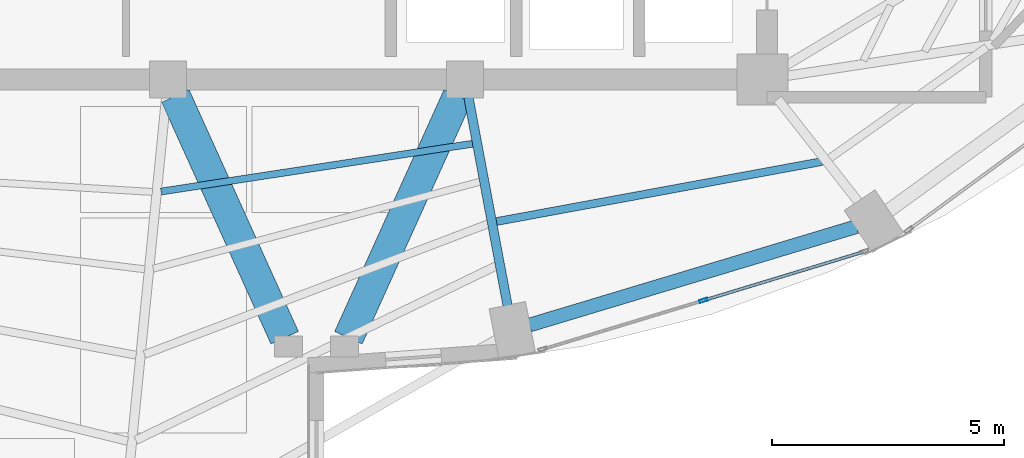
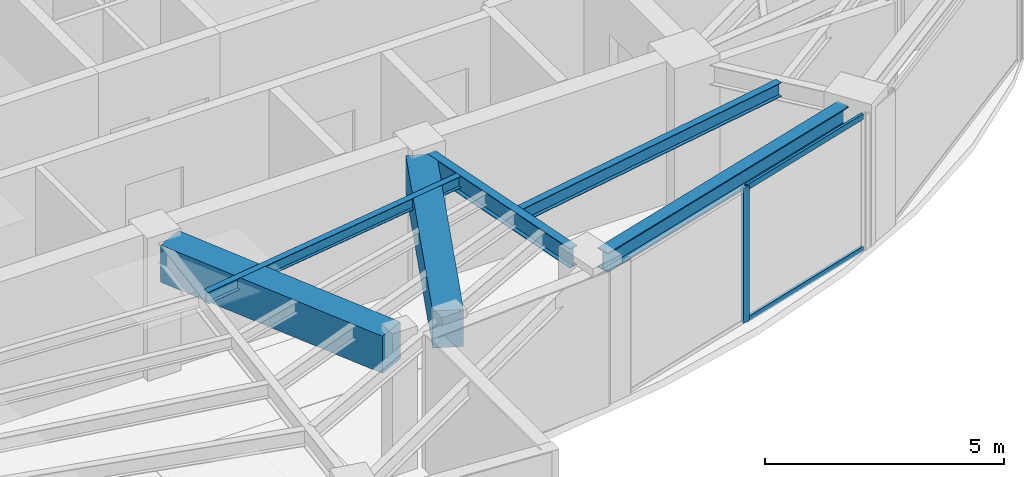
# One storey, part 7 of 23: 6 beams, 3 members, 1 element without a shape of its own.
"""IFC4 building model written with IfcOpenShell, lengths in metres."""

from ifc_helpers import new_model, si_unit, direction, frame, origin, origin_2d, place, context, subcontext, project, spatial, rectangle, hollow_rectangle, i_section, extrude, material, layer, layer_set, material_profile, profile_set, type_object, element, aggregate, save


model = new_model("IFC4")

# Units and contexts
model_context = context("Model", 3, precision=1e-05, world=origin(), true_north=direction((0.0, 1.0)))
body_context = subcontext(model_context, "Body", "Model", "MODEL_VIEW")
ifc_project = project(units=[si_unit("LENGTHUNIT", "METRE"), si_unit("AREAUNIT", "SQUARE_METRE"), si_unit("VOLUMEUNIT", "CUBIC_METRE"), si_unit("PLANEANGLEUNIT", "RADIAN"), si_unit("MASSUNIT", "GRAM", prefix="KILO")], contexts=[model_context])

# Site, building, storey
site_placement = place(None, origin())
site = spatial("IfcSite", under=ifc_project, at=site_placement, CompositionType="ELEMENT")
building_placement = place(site_placement, origin())
building = spatial("IfcBuilding", under=site, at=building_placement, Name="Lazwardi Medical Tower", CompositionType="ELEMENT")
storey_placement = place(building_placement, frame((0.0, 0.0, 262.320068359375)))
storey = spatial("IfcBuildingStorey", under=building, at=storey_placement, Name="L68", CompositionType="ELEMENT", Elevation=262.320068359375)

# Beams
ifc_material_1 = material(Name="Concrete C60/75", Category="concrete")
ifc_material_profile_1 = material_profile(ifc_material_1, rectangle(XDim=0.64990234375, YDim=0.949951171875, at=origin_2d()), Name="RC 650x950")
ifc_profile_set_1 = profile_set([ifc_material_profile_1], Name="Concrete C60/75")
beam_type_1 = type_object("IfcBeamType", Name="BM-CB-RC2", PredefinedType="LINTEL", material=ifc_profile_set_1)
for number, where, z_axis, x_axis, name in (
    (1, (32.95849609375, 20.04931640625, 2.972900390625), (0.412019279944, -0.911175127489, 0.0), (0.911175127489, 0.412019279944, 0.0), "Core coupling lintel CB-02 PL3 L68"),
    (2, (39.04150390625, 20.04931640625, 2.972900390625), (-0.412019279944, -0.911175127489, 0.0), (0.911175127489, -0.412019279944, 0.0), "Core coupling lintel CB-02 PL4 L68"),
):
    element("IfcBeam", number, at=place(storey_placement, frame(where, z_axis=z_axis, x_axis=x_axis)), inside=storey, type_object=beam_type_1, Name=name, PredefinedType="LINTEL", context=body_context, shape_type="SweptSolid", body=[
        extrude(rectangle(XDim=0.64990234375, YDim=0.949951171875, at=origin_2d()), origin(), (0.0, 0.0, 1.0), 5.7158203125),
    ])
ifc_material_2 = material(Name="Steel S355", Category="steel")
ifc_material_profile_2 = material_profile(ifc_material_2, i_section(OverallWidth=0.300048828125, OverallDepth=0.5, WebThickness=0.014404296875, FlangeThickness=0.028076171875, at=origin_2d()), Name="HEB 500")
ifc_profile_set_2 = profile_set([ifc_material_profile_2], Name="Steel S355")
beam_type_2 = type_object("IfcBeamType", Name="BM-RB-Z4", PredefinedType="BEAM", material=ifc_profile_set_2)
beam_1_placement = place(storey_placement, frame((40.58740234375, 15.114013671875, 3.197998046875), z_axis=(0.957544311906, 0.288286126506, 0.0), x_axis=(-0.288286126506, 0.957544311906, 0.0)))
element("IfcBeam", 3, at=beam_1_placement, inside=storey, type_object=beam_type_2, Name="Ring beam RB-05 B01 L68", PredefinedType="BEAM", context=body_context, shape_type="SweptSolid", body=[
    extrude(i_section(OverallWidth=0.300048828125, OverallDepth=0.5, WebThickness=0.014404296875, FlangeThickness=0.028076171875, at=origin_2d()), origin(), (0.0, 0.0, 1.0), 7.3515625),
])
ifc_material_profile_3 = material_profile(ifc_material_2, i_section(OverallWidth=0.199951171875, OverallDepth=0.5, WebThickness=0.01025390625, FlangeThickness=0.01611328125, at=origin_2d()), Name="IPE 500")
ifc_profile_set_3 = profile_set([ifc_material_profile_3], Name="Steel S355")
beam_type_3 = type_object("IfcBeamType", Name="BM-RG-W3", PredefinedType="BEAM", material=ifc_profile_set_3)
beam_2_placement = place(storey_placement, frame((40.115234375, 15.527587890625, 3.197998046875), z_axis=(-0.184633463507, 0.982807450192, 0.0), x_axis=(-0.982807450192, -0.184633463507, 0.0)))
element("IfcBeam", 4, at=beam_2_placement, inside=storey, type_object=beam_type_3, Name="Radial girder RG-04 R01 L68", PredefinedType="BEAM", context=body_context, shape_type="SweptSolid", body=[
    extrude(i_section(OverallWidth=0.199951171875, OverallDepth=0.5, WebThickness=0.01025390625, FlangeThickness=0.01611328125, at=origin_2d()), origin(), (0.0, 0.0, 1.0), 4.572509765625),
])
ifc_material_profile_4 = material_profile(ifc_material_2, i_section(OverallWidth=0.169921875, OverallDepth=0.360107421875, WebThickness=0.008056640625, FlangeThickness=0.0126953125, at=origin_2d()), Name="IPE 360")
ifc_profile_set_4 = profile_set([ifc_material_profile_4], Name="Steel S355")
beam_type_4 = type_object("IfcBeamType", Name="BM-SJ-02", PredefinedType="JOIST", material=ifc_profile_set_4)
beam_3_placement = place(storey_placement, frame((39.87109375, 17.34228515625, 3.267822265625), z_axis=(0.983427965623, 0.181299300688, 0.0), x_axis=(-0.181299300688, 0.983427965623, 0.0)))
element("IfcBeam", 5, at=beam_3_placement, inside=storey, type_object=beam_type_4, Name="Secondary joist SJ-02 R2 B01 L68", PredefinedType="JOIST", context=body_context, shape_type="SweptSolid", body=[
    extrude(i_section(OverallWidth=0.169921875, OverallDepth=0.360107421875, WebThickness=0.008056640625, FlangeThickness=0.0126953125, at=origin_2d()), origin(), (0.0, 0.0, 1.0), 7.127685546875),
])
ifc_material_profile_5 = material_profile(ifc_material_2, i_section(OverallWidth=0.14990234375, OverallDepth=0.300048828125, WebThickness=0.007080078125, FlangeThickness=0.0107421875, at=origin_2d()), Name="IPE 300")
ifc_profile_set_5 = profile_set([ifc_material_profile_5], Name="Steel S355")
beam_type_5 = type_object("IfcBeamType", Name="BM-SJ-03", PredefinedType="JOIST", material=ifc_profile_set_5)
beam_4_placement = place(storey_placement, frame((32.652587890625, 17.989013671875, 3.2978515625), z_axis=(0.988433562862, 0.151654514629, 0.0), x_axis=(-0.151654514629, 0.988433562862, 0.0)))
element("IfcBeam", 6, at=beam_4_placement, inside=storey, type_object=beam_type_5, Name="Secondary joist SJ-03 R4 B16 L68", PredefinedType="JOIST", context=body_context, shape_type="SweptSolid", body=[
    extrude(i_section(OverallWidth=0.14990234375, OverallDepth=0.300048828125, WebThickness=0.007080078125, FlangeThickness=0.0107421875, at=origin_2d()), origin(), (0.0, 0.0, 1.0), 6.788818359375),
])

# Curtain wall, members
ifc_material_3 = material(Name="Anodised bronze aluminium and solar control glazing", Category="aluminium")
ifc_layer = layer(ifc_material_3, 0.18994140625)
ifc_layer_set = layer_set([ifc_layer], Name="Anodised bronze aluminium and solar control glazing")
curtain_wall_type = type_object("IfcCurtainWallType", Name="CW-SYS-04", PredefinedType="NOTDEFINED", material=ifc_layer_set)
curtain_wall_placement = place(storey_placement, origin())
curtain_wall = element("IfcCurtainWall", 7, at=curtain_wall_placement, inside=storey, type_object=curtain_wall_type, Name="L68 Unitised bronze curtain wall CW-04", PredefinedType="NOTDEFINED")
ifc_material_4 = material(Name="Anodised bronze aluminium", Category="aluminium")
ifc_material_profile_6 = material_profile(ifc_material_4, hollow_rectangle(XDim=0.06494140625, YDim=0.179931640625, WallThickness=0.00390625, at=origin_2d()), Name="ALU-MULLION 180x65x4")
ifc_profile_set_6 = profile_set([ifc_material_profile_6], Name="Anodised bronze aluminium")
member_type_1 = type_object("IfcMemberType", Name="CW-MUL-03", PredefinedType="MULLION", material=ifc_profile_set_6)
member_1_placement = place(storey_placement, frame((44.33642578125, 15.644775390625, 0.0), z_axis=(0.0, 0.0, 1.0), x_axis=(-0.290581889515, 0.956850126972, 0.0)))
member_1 = element("IfcMember", 8, at=member_1_placement, type_object=member_type_1, Name="CW-04 mullion 2", PredefinedType="MULLION", context=body_context, shape_type="SweptSolid", body=[
    extrude(hollow_rectangle(XDim=0.06494140625, YDim=0.179931640625, WallThickness=0.00390625, at=origin_2d()), origin(), (0.0, 0.0, 1.0), 3.447998046875),
])
ifc_material_profile_7 = material_profile(ifc_material_4, hollow_rectangle(XDim=0.06494140625, YDim=0.139892578125, WallThickness=0.00341796875, at=origin_2d()), Name="ALU-TRANSOM 140x65x3.5")
ifc_profile_set_7 = profile_set([ifc_material_profile_7], Name="Anodised bronze aluminium")
member_type_2 = type_object("IfcMemberType", Name="CW-TRN-03", PredefinedType="USERDEFINED", material=ifc_profile_set_7)
member_2_placement = place(storey_placement, frame((44.367431640625, 15.654052734375, 0.032470703125), z_axis=(0.956843409009, 0.290604010015, 0.0), x_axis=(-0.290604010015, 0.956843409009, 0.0)))
member_2 = element("IfcMember", 9, at=member_2_placement, type_object=member_type_2, Name="CW-04 transom 2.1", ObjectType="TRANSOM", PredefinedType="USERDEFINED", context=body_context, shape_type="SweptSolid", body=[
    extrude(hollow_rectangle(XDim=0.06494140625, YDim=0.139892578125, WallThickness=0.00341796875, at=origin_2d()), origin(), (0.0, 0.0, 1.0), 3.554443359375),
])
member_3_placement = place(storey_placement, frame((44.367431640625, 15.654052734375, 3.41552734375), z_axis=(0.956843409009, 0.290604010015, 0.0), x_axis=(-0.290604010015, 0.956843409009, 0.0)))
member_3 = element("IfcMember", 10, at=member_3_placement, type_object=member_type_2, Name="CW-04 transom 2.2", ObjectType="TRANSOM", PredefinedType="USERDEFINED", context=body_context, shape_type="SweptSolid", body=[
    extrude(hollow_rectangle(XDim=0.06494140625, YDim=0.139892578125, WallThickness=0.00341796875, at=origin_2d()), origin(), (0.0, 0.0, 1.0), 3.554443359375),
])
aggregate(curtain_wall, [member_1, member_2, member_3])

save(model, "model.ifc")
